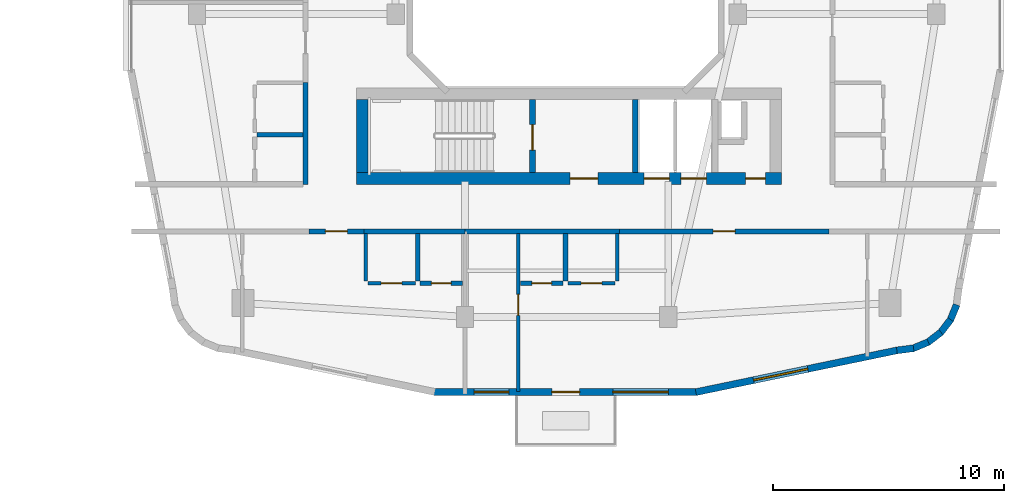
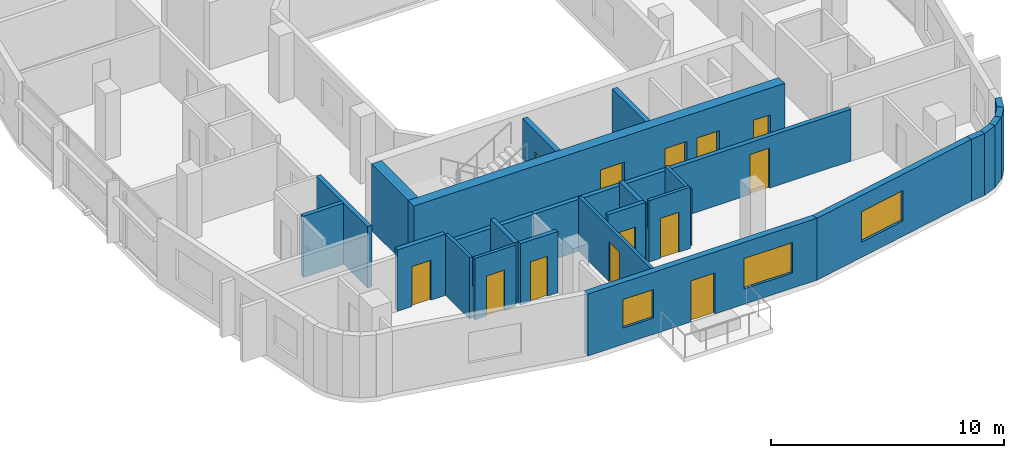
# One storey, part 13 of 22: 26 walls, 13 doors, 3 windows, 16 openings.
"""IFC4 building model written with IfcOpenShell, lengths in metres."""

from ifc_helpers import new_model, si_unit, derived_unit, direction, frame, frame_2d, origin, place, context, subcontext, project, spatial, rectangle, extrude, material, layer, layer_set, type_object, element, fill, save


model = new_model("IFC4")

# Units and contexts
model_context = context("Model", 3, precision=1e-05, world=origin(), true_north=direction((0.0, 1.0)))
body_context = subcontext(model_context, "Body", "Model", "MODEL_VIEW")
ifc_project = project(units=[si_unit("LENGTHUNIT", "METRE"), si_unit("AREAUNIT", "SQUARE_METRE"), si_unit("VOLUMEUNIT", "CUBIC_METRE"), si_unit("PLANEANGLEUNIT", "RADIAN"), si_unit("MASSUNIT", "GRAM", prefix="KILO"), derived_unit("THERMALTRANSMITTANCEUNIT", [(si_unit("POWERUNIT", "WATT"), 1), (si_unit("LENGTHUNIT", "METRE"), -2), (si_unit("THERMODYNAMICTEMPERATUREUNIT", "KELVIN"), -1)])], contexts=[model_context])

# Site, building, storey
site_placement = place(None, origin())
site = spatial("IfcSite", under=ifc_project, at=site_placement, CompositionType="ELEMENT")
building_placement = place(site_placement, origin())
building = spatial("IfcBuilding", under=site, at=building_placement, Name="Kivonza Crest Hotel", CompositionType="ELEMENT")
storey_placement = place(building_placement, frame((0.0, 0.0, 69.5)))
storey = spatial("IfcBuildingStorey", under=building, at=storey_placement, Name="L18", CompositionType="ELEMENT", Elevation=69.5)

# Wall
ifc_material_1 = material(Name="Autoclaved aerated concrete blockwork", Category="masonry")
ifc_layer_1 = layer(ifc_material_1, 0.219970703125)
ifc_layer_set_1 = layer_set([ifc_layer_1], Name="Autoclaved aerated concrete blockwork")
wall_type_1 = type_object("IfcWallType", Name="WL-ACOU-220", PredefinedType="SOLIDWALL", material=ifc_layer_set_1)
wall_1_placement = place(storey_placement, frame((68.219970703125, 12.10009765625, 0.0), z_axis=(0.0, 0.0, 1.0), x_axis=(1.0, 0.0, 0.0)))
element("IfcWall", 1, at=wall_1_placement, inside=storey, type_object=wall_type_1, Name="L18 interior partition WA-L18-A03-RCORR", PredefinedType="SOLIDWALL", context=body_context, shape_type="SweptSolid", body=[
    extrude(rectangle(XDim=4.380126953125, YDim=0.219970703125, at=frame_2d((2.18994140625, 0.0))), origin(), (0.0, 0.0, 1.0), 2.72509765625),
])

# Wall, opening, door
wall_2_placement = place(storey_placement, frame((65.85009765625, 12.10009765625, 0.0), z_axis=(0.0, 0.0, 1.0), x_axis=(1.0, 0.0, 0.0)))
wall_2 = element("IfcWall", 2, at=wall_2_placement, inside=storey, type_object=wall_type_1, Name="L18 interior partition WA-L18-A03-MCORR", PredefinedType="SOLIDWALL", context=body_context, shape_type="SweptSolid", body=[
    extrude(rectangle(XDim=2.369873046875, YDim=0.219970703125, at=frame_2d((1.18505859375, 0.0))), origin(), (0.0, 0.0, 1.0), 3.219970703125),
])
opening_1_placement = place(wall_2_placement, frame((0.7099609375, 0.0, 0.0)))
opening_1 = element("IfcOpeningElement", 3, at=opening_1_placement, cuts=wall_2, Name="Opening DU-60", PredefinedType="OPENING", context=body_context, shape_type="SweptSolid", body=[
    extrude(rectangle(XDim=0.949951171875, YDim=2.10009765625, at=frame_2d((0.47509765625, 1.050048828125))), frame((0.0, 0.1201171875, 0.0), z_axis=(0.0, -1.0, 0.0), x_axis=(1.0, 0.0, 0.0)), (0.0, 0.0, 1.0), 0.239990234375),
])
ifc_material_2 = material(Name="Hardwood timber oak", Category="wood")
door_type_1 = type_object("IfcDoorType", Name="DR-UNIT-950", OperationType="NOTDEFINED", PredefinedType="DOOR", material=ifc_material_2)
door_1_placement = place(opening_1_placement, frame((0.949951171875, 0.0, 0.0), z_axis=(0.0, 0.0, 1.0), x_axis=(-1.0, 0.0, 0.0)))
door_1 = element("IfcDoor", 4, at=door_1_placement, inside=storey, type_object=door_type_1, Name="L18 A03 apartment entrance fire door", OperationType="SINGLE_SWING_LEFT", OverallHeight=2.10009765625, OverallWidth=0.949951171875, PredefinedType="DOOR", context=body_context, shape_type="SweptSolid", body=[
    extrude(rectangle(XDim=0.949951171875, YDim=2.10009765625, at=frame_2d((0.47509765625, 1.050048828125))), frame((0.0, 0.02490234375, 0.0), z_axis=(0.0, -1.0, 0.0), x_axis=(1.0, 0.0, 0.0)), (0.0, 0.0, 1.0), 0.050048828125),
])
fill(opening_1, door_1)

# Wall
wall_3_placement = place(storey_placement, frame((72.60009765625, 12.10009765625, 0.0), z_axis=(0.0, 0.0, 1.0), x_axis=(1.0, 0.0, 0.0)))
element("IfcWall", 5, at=wall_3_placement, inside=storey, type_object=wall_type_1, Name="L18 interior partition WA-L18-A04-LCORR", PredefinedType="SOLIDWALL", context=body_context, shape_type="SweptSolid", body=[
    extrude(rectangle(XDim=6.679931640625, YDim=0.219970703125, at=frame_2d((3.33984375, 0.0))), origin(), (0.0, 0.0, 1.0), 2.72509765625),
])

# Wall, opening, door
wall_4_placement = place(storey_placement, frame((79.280029296875, 12.10009765625, 0.0), z_axis=(0.0, 0.0, 1.0), x_axis=(1.0, 0.0, 0.0)))
wall_4 = element("IfcWall", 6, at=wall_4_placement, inside=storey, type_object=wall_type_1, Name="L18 interior partition WA-L18-A04-MCORR", PredefinedType="SOLIDWALL", context=body_context, shape_type="SweptSolid", body=[
    extrude(rectangle(XDim=9.070068359375, YDim=0.219970703125, at=frame_2d((4.53515625, 0.0))), origin(), (0.0, 0.0, 1.0), 2.72509765625),
])
opening_2_placement = place(wall_4_placement, frame((4.06005859375, 0.0, 0.0)))
opening_2 = element("IfcOpeningElement", 7, at=opening_2_placement, cuts=wall_4, Name="Opening DU-60", PredefinedType="OPENING", context=body_context, shape_type="SweptSolid", body=[
    extrude(rectangle(XDim=0.949951171875, YDim=2.10009765625, at=frame_2d((0.47509765625, 1.050048828125))), frame((0.0, 0.1201171875, 0.0), z_axis=(0.0, -1.0, 0.0), x_axis=(1.0, 0.0, 0.0)), (0.0, 0.0, 1.0), 0.239990234375),
])
door_2_placement = place(opening_2_placement, frame((0.949951171875, 0.0, 0.0), z_axis=(0.0, 0.0, 1.0), x_axis=(-1.0, 0.0, 0.0)))
door_2 = element("IfcDoor", 8, at=door_2_placement, inside=storey, type_object=door_type_1, Name="L18 A04 apartment entrance fire door", OperationType="SINGLE_SWING_RIGHT", OverallHeight=2.10009765625, OverallWidth=0.949951171875, PredefinedType="DOOR", context=body_context, shape_type="SweptSolid", body=[
    extrude(rectangle(XDim=0.949951171875, YDim=2.10009765625, at=frame_2d((0.47509765625, 1.050048828125))), frame((0.0, 0.02490234375, 0.0), z_axis=(0.0, -1.0, 0.0), x_axis=(1.0, 0.0, 0.0)), (0.0, 0.0, 1.0), 0.050048828125),
])
fill(opening_2, door_2)

# Wall
wall_5_placement = place(storey_placement, frame((65.699951171875, 14.139892578125, 0.0), z_axis=(0.0, 0.0, 1.0), x_axis=(0.0, 1.0, 0.0)))
element("IfcWall", 9, at=wall_5_placement, inside=storey, type_object=wall_type_1, Name="L18 interior partition WA-L18-A05-BCORR", PredefinedType="SOLIDWALL", context=body_context, shape_type="SweptSolid", body=[
    extrude(rectangle(XDim=4.400146484375, YDim=0.219970703125, at=frame_2d((2.2001953125, 0.0))), origin(), (0.0, 0.0, 1.0), 3.219970703125),
])

# Wall, openings, doors
ifc_material_3 = material(Name="Concrete C60/75", Category="concrete")
ifc_layer_2 = layer(ifc_material_3, 0.5)
ifc_layer_set_2 = layer_set([ifc_layer_2], Name="Concrete C60/75")
wall_type_2 = type_object("IfcWallType", Name="WL-CORE-500", PredefinedType="SHEAR", material=ifc_layer_set_2)
wall_6_placement = place(storey_placement, frame((67.89990234375, 14.389892578125, 0.0), z_axis=(0.0, 0.0, 1.0), x_axis=(1.0, 0.0, 0.0)))
wall_6 = element("IfcWall", 10, at=wall_6_placement, inside=storey, type_object=wall_type_2, Name="Core wall T2-S South L18", PredefinedType="SHEAR", context=body_context, shape_type="SweptSolid", body=[
    extrude(rectangle(XDim=18.400146484375, YDim=0.5, at=frame_2d((9.2001953125, 0.0))), origin(), (0.0, 0.0, 1.0), 3.5),
])
opening_3_placement = place(wall_6_placement, frame((9.25, 0.0, 0.0)))
opening_3 = element("IfcOpeningElement", 11, at=opening_3_placement, cuts=wall_6, Name="Opening DF-60", PredefinedType="OPENING", context=body_context, shape_type="SweptSolid", body=[
    extrude(rectangle(XDim=1.199951171875, YDim=2.14990234375, at=frame_2d((0.60009765625, 1.074951171875))), frame((0.0, 0.260009765625, 0.0), z_axis=(0.0, -1.0, 0.0), x_axis=(1.0, 0.0, 0.0)), (0.0, 0.0, 1.0), 0.52001953125),
])
opening_4_placement = place(wall_6_placement, frame((16.85009765625, 0.0, 0.0)))
opening_4 = element("IfcOpeningElement", 12, at=opening_4_placement, cuts=wall_6, Name="Opening DF-60R", PredefinedType="OPENING", context=body_context, shape_type="SweptSolid", body=[
    extrude(rectangle(XDim=0.85009765625, YDim=2.10009765625, at=frame_2d((0.425048828125, 1.050048828125))), frame((0.0, 0.260009765625, 0.0), z_axis=(0.0, -1.0, 0.0), x_axis=(1.0, 0.0, 0.0)), (0.0, 0.0, 1.0), 0.52001953125),
])
opening_5_placement = place(wall_6_placement, frame((12.449951171875, 0.0, 0.0)))
opening_5 = element("IfcOpeningElement", 13, at=opening_5_placement, cuts=wall_6, Name="Opening LD-120", PredefinedType="OPENING", context=body_context, shape_type="SweptSolid", body=[
    extrude(rectangle(XDim=1.10009765625, YDim=2.14990234375, at=frame_2d((0.550048828125, 1.074951171875))), frame((0.0, 0.260009765625, 0.0), z_axis=(0.0, -1.0, 0.0), x_axis=(1.0, 0.0, 0.0)), (0.0, 0.0, 1.0), 0.52001953125),
])
opening_6_placement = place(wall_6_placement, frame((14.050048828125, 0.0, 0.0)))
opening_6 = element("IfcOpeningElement", 14, at=opening_6_placement, cuts=wall_6, Name="Opening LD-120", PredefinedType="OPENING", context=body_context, shape_type="SweptSolid", body=[
    extrude(rectangle(XDim=1.10009765625, YDim=2.14990234375, at=frame_2d((0.550048828125, 1.074951171875))), frame((0.0, 0.260009765625, 0.0), z_axis=(0.0, -1.0, 0.0), x_axis=(1.0, 0.0, 0.0)), (0.0, 0.0, 1.0), 0.52001953125),
])
door_type_2 = type_object("IfcDoorType", Name="DR-FD60-1200", OperationType="NOTDEFINED", PredefinedType="DOOR", material=ifc_material_2)
door_3_placement = place(opening_3_placement, frame((1.199951171875, 0.0, 0.0), z_axis=(0.0, 0.0, 1.0), x_axis=(-1.0, 0.0, 0.0)))
door_3 = element("IfcDoor", 15, at=door_3_placement, inside=storey, type_object=door_type_2, Name="L18 T2-S firefighting lobby fire door", OperationType="SINGLE_SWING_LEFT", OverallHeight=2.14990234375, OverallWidth=1.199951171875, PredefinedType="DOOR", context=body_context, shape_type="SweptSolid", body=[
    extrude(rectangle(XDim=1.199951171875, YDim=2.14990234375, at=frame_2d((0.60009765625, 1.074951171875))), frame((0.0, 0.02490234375, 0.0), z_axis=(0.0, -1.0, 0.0), x_axis=(1.0, 0.0, 0.0)), (0.0, 0.0, 1.0), 0.050048828125),
])
fill(opening_3, door_3)
door_type_3 = type_object("IfcDoorType", Name="DR-FD60-850", OperationType="NOTDEFINED", PredefinedType="DOOR", material=ifc_material_2)
door_4_placement = place(opening_4_placement, frame((0.85009765625, 0.0, 0.0), z_axis=(0.0, 0.0, 1.0), x_axis=(-1.0, 0.0, 0.0)))
door_4 = element("IfcDoor", 16, at=door_4_placement, inside=storey, type_object=door_type_3, Name="L18 T2-S core room door", OperationType="SINGLE_SWING_RIGHT", OverallHeight=2.10009765625, OverallWidth=0.85009765625, PredefinedType="DOOR", context=body_context, shape_type="SweptSolid", body=[
    extrude(rectangle(XDim=0.85009765625, YDim=2.10009765625, at=frame_2d((0.425048828125, 1.050048828125))), frame((0.0, 0.02490234375, 0.0), z_axis=(0.0, -1.0, 0.0), x_axis=(1.0, 0.0, 0.0)), (0.0, 0.0, 1.0), 0.050048828125),
])
fill(opening_4, door_4)
ifc_material_4 = material(Name="Stainless steel", Category="steel")
door_type_4 = type_object("IfcDoorType", Name="DR-LD120-1100", OperationType="NOTDEFINED", PredefinedType="DOOR", material=ifc_material_4)
door_5_placement = place(opening_5_placement, frame((1.10009765625, 0.0, 0.0), z_axis=(0.0, 0.0, 1.0), x_axis=(-1.0, 0.0, 0.0)))
door_5 = element("IfcDoor", 17, at=door_5_placement, inside=storey, type_object=door_type_4, Name="L18 PL-T2-1 passenger lift sliding landing door", OperationType="DOUBLE_DOOR_SLIDING", OverallHeight=2.14990234375, OverallWidth=1.10009765625, PredefinedType="DOOR", context=body_context, shape_type="SweptSolid", body=[
    extrude(rectangle(XDim=1.10009765625, YDim=2.14990234375, at=frame_2d((0.550048828125, 1.074951171875))), frame((0.0, 0.02490234375, 0.0), z_axis=(0.0, -1.0, 0.0), x_axis=(1.0, 0.0, 0.0)), (0.0, 0.0, 1.0), 0.050048828125),
])
fill(opening_5, door_5)
door_6_placement = place(opening_6_placement, frame((1.10009765625, 0.0, 0.0), z_axis=(0.0, 0.0, 1.0), x_axis=(-1.0, 0.0, 0.0)))
door_6 = element("IfcDoor", 18, at=door_6_placement, inside=storey, type_object=door_type_4, Name="L18 PL-T2-2 passenger lift sliding landing door", OperationType="DOUBLE_DOOR_SLIDING", OverallHeight=2.14990234375, OverallWidth=1.10009765625, PredefinedType="DOOR", context=body_context, shape_type="SweptSolid", body=[
    extrude(rectangle(XDim=1.10009765625, YDim=2.14990234375, at=frame_2d((0.550048828125, 1.074951171875))), frame((0.0, 0.02490234375, 0.0), z_axis=(0.0, -1.0, 0.0), x_axis=(1.0, 0.0, 0.0)), (0.0, 0.0, 1.0), 0.050048828125),
])
fill(opening_6, door_6)

# Wall
wall_7_placement = place(storey_placement, frame((68.14990234375, 14.639892578125, 0.0), z_axis=(0.0, 0.0, 1.0), x_axis=(0.0, 1.0, 0.0)))
element("IfcWall", 19, at=wall_7_placement, inside=storey, type_object=wall_type_2, Name="Core wall T2-S West L18", PredefinedType="SHEAR", context=body_context, shape_type="SweptSolid", body=[
    extrude(rectangle(XDim=3.16015625, YDim=0.5, at=frame_2d((1.580078125, 0.0))), origin(), (0.0, 0.0, 1.0), 3.5),
])

# Wall, openings, door, windows
ifc_material_5 = material(Name="Precast concrete C40/50", Category="concrete")
ifc_layer_3 = layer(ifc_material_5, 0.300048828125)
ifc_layer_set_3 = layer_set([ifc_layer_3], Name="Precast concrete C40/50")
wall_type_3 = type_object("IfcWallType", Name="WL-EXT-300", PredefinedType="STANDARD", material=ifc_layer_set_3)
wall_8_placement = place(storey_placement, frame((71.2470703125, 5.14990234375, 0.0), z_axis=(0.0, 0.0, 1.0), x_axis=(1.0, 0.0, 0.0)))
wall_8 = element("IfcWall", 20, at=wall_8_placement, inside=storey, type_object=wall_type_3, Name="L18 T2 exterior insulated wall 8", PredefinedType="STANDARD", context=body_context, shape_type="SweptSolid", body=[
    extrude(rectangle(XDim=11.390869140625, YDim=0.300048828125, at=frame_2d((5.6953125, 0.0))), origin(), (0.0, 0.0, 1.0), 3.25),
])
opening_7_placement = place(wall_8_placement, frame((5.113037109375, 0.0, 0.0)))
opening_7 = element("IfcOpeningElement", 21, at=opening_7_placement, cuts=wall_8, Name="Opening DT-120", PredefinedType="OPENING", context=body_context, shape_type="SweptSolid", body=[
    extrude(rectangle(XDim=1.199951171875, YDim=2.14990234375, at=frame_2d((0.60009765625, 1.074951171875))), frame((0.0, 0.16015625, 0.0), z_axis=(0.0, -1.0, 0.0), x_axis=(1.0, 0.0, 0.0)), (0.0, 0.0, 1.0), 0.320068359375),
])
opening_8_placement = place(wall_8_placement, frame((1.7529296875, 0.0, 0.85009765625)))
opening_8 = element("IfcOpeningElement", 22, at=opening_8_placement, cuts=wall_8, Name="Opening WN-02", PredefinedType="OPENING", context=body_context, shape_type="SweptSolid", body=[
    extrude(rectangle(XDim=1.5, YDim=1.5, at=frame_2d((0.75, 0.75))), frame((0.0, 0.16015625, 0.0), z_axis=(0.0, -1.0, 0.0), x_axis=(1.0, 0.0, 0.0)), (0.0, 0.0, 1.0), 0.320068359375),
])
opening_9_placement = place(wall_8_placement, frame((7.757080078125, 0.0, 0.800048828125)))
opening_9 = element("IfcOpeningElement", 23, at=opening_9_placement, cuts=wall_8, Name="Opening WN-05", PredefinedType="OPENING", context=body_context, shape_type="SweptSolid", body=[
    extrude(rectangle(XDim=2.39990234375, YDim=1.60009765625, at=frame_2d((1.199951171875, 0.800048828125))), frame((0.0, 0.16015625, 0.0), z_axis=(0.0, -1.0, 0.0), x_axis=(1.0, 0.0, 0.0)), (0.0, 0.0, 1.0), 0.320068359375),
])
ifc_material_6 = material(Name="Anodised bronze aluminium and laminated safety glass", Category="aluminium")
door_type_5 = type_object("IfcDoorType", Name="DR-TERR-1200", OperationType="NOTDEFINED", PredefinedType="DOOR", material=ifc_material_6)
door_7_placement = place(opening_7_placement, frame((1.199951171875, 0.0, 0.0), z_axis=(0.0, 0.0, 1.0), x_axis=(-1.0, 0.0, 0.0)))
door_7 = element("IfcDoor", 24, at=door_7_placement, inside=storey, type_object=door_type_5, Name="T2 L18 SW sky-garden bridge access door", OperationType="SINGLE_SWING_RIGHT", OverallHeight=2.14990234375, OverallWidth=1.199951171875, PredefinedType="DOOR", context=body_context, shape_type="SweptSolid", body=[
    extrude(rectangle(XDim=1.199951171875, YDim=2.14990234375, at=frame_2d((0.60009765625, 1.074951171875))), frame((0.0, 0.02490234375, 0.0), z_axis=(0.0, -1.0, 0.0), x_axis=(1.0, 0.0, 0.0)), (0.0, 0.0, 1.0), 0.050048828125),
])
fill(opening_7, door_7)
ifc_material_7 = material(Name="Thermally broken bronze aluminium and low-E double glazing", Category="aluminium")
window_type_1 = type_object("IfcWindowType", Name="WN-150x150", PartitioningType="DOUBLE_PANEL_VERTICAL", PredefinedType="WINDOW", material=ifc_material_7)
window_1_placement = place(opening_8_placement, origin())
window_1 = element("IfcWindow", 25, at=window_1_placement, inside=storey, type_object=window_type_1, Name="L18 T2 facade window 8 bay 1", OverallHeight=1.5, OverallWidth=1.5, PartitioningType="SINGLE_PANEL", PredefinedType="WINDOW", context=body_context, shape_type="SweptSolid", body=[
    extrude(rectangle(XDim=1.5, YDim=1.5, at=frame_2d((0.75, 0.75))), frame((0.0, 0.030029296875, 0.0), z_axis=(0.0, -1.0, 0.0), x_axis=(1.0, 0.0, 0.0)), (0.0, 0.0, 1.0), 0.06005859375),
])
fill(opening_8, window_1)
window_type_2 = type_object("IfcWindowType", Name="WN-240x160", PartitioningType="TRIPLE_PANEL_VERTICAL", PredefinedType="WINDOW", material=ifc_material_7)
window_2_placement = place(opening_9_placement, origin())
window_2 = element("IfcWindow", 26, at=window_2_placement, inside=storey, type_object=window_type_2, Name="L18 T2 facade window 8 bay 2", OverallHeight=1.60009765625, OverallWidth=2.39990234375, PartitioningType="SINGLE_PANEL", PredefinedType="WINDOW", context=body_context, shape_type="SweptSolid", body=[
    extrude(rectangle(XDim=2.39990234375, YDim=1.60009765625, at=frame_2d((1.199951171875, 0.800048828125))), frame((0.0, 0.030029296875, 0.0), z_axis=(0.0, -1.0, 0.0), x_axis=(1.0, 0.0, 0.0)), (0.0, 0.0, 1.0), 0.06005859375),
])
fill(opening_9, window_2)

# Wall, opening, window
wall_9_placement = place(storey_placement, frame((82.593994140625, 5.14208984375, 0.0), z_axis=(0.0, 0.0, 1.0), x_axis=(0.979125485139, 0.203256695712, 0.0)))
wall_9 = element("IfcWall", 27, at=wall_9_placement, inside=storey, type_object=wall_type_3, Name="L18 T2 exterior insulated wall 9", PredefinedType="STANDARD", context=body_context, shape_type="SweptSolid", body=[
    extrude(rectangle(XDim=8.8896484375, YDim=0.300048828125, at=frame_2d((4.44482421875, 0.0))), origin(), (0.0, 0.0, 1.0), 3.25),
])
opening_10_placement = place(wall_9_placement, frame((2.548095703125, 0.0, 0.800048828125)))
opening_10 = element("IfcOpeningElement", 28, at=opening_10_placement, cuts=wall_9, Name="Opening WN-05", PredefinedType="OPENING", context=body_context, shape_type="SweptSolid", body=[
    extrude(rectangle(XDim=2.39990234375, YDim=1.60009765625, at=frame_2d((1.199951171875, 0.800048828125))), frame((0.0, 0.16015625, 0.0), z_axis=(0.0, -1.0, 0.0), x_axis=(1.0, 0.0, 0.0)), (0.0, 0.0, 1.0), 0.320068359375),
])
window_3_placement = place(opening_10_placement, origin())
window_3 = element("IfcWindow", 29, at=window_3_placement, inside=storey, type_object=window_type_2, Name="L18 T2 facade window 9", OverallHeight=1.60009765625, OverallWidth=2.39990234375, PartitioningType="SINGLE_PANEL", PredefinedType="WINDOW", context=body_context, shape_type="SweptSolid", body=[
    extrude(rectangle(XDim=2.39990234375, YDim=1.60009765625, at=frame_2d((1.199951171875, 0.800048828125))), frame((0.0, 0.030029296875, 0.0), z_axis=(0.0, -1.0, 0.0), x_axis=(1.0, 0.0, 0.0)), (0.0, 0.0, 1.0), 0.06005859375),
])
fill(opening_10, window_3)

# Walls
wall_10_placement = place(storey_placement, frame((91.29296875, 6.947998046875, 0.0), z_axis=(0.0, 0.0, 1.0), x_axis=(0.991486167159, 0.13021205909, 0.0)))
element("IfcWall", 30, at=wall_10_placement, inside=storey, type_object=wall_type_3, Name="L18 T2 exterior insulated wall 10", PredefinedType="STANDARD", context=body_context, shape_type="SweptSolid", body=[
    extrude(rectangle(XDim=0.729248046875, YDim=0.300048828125, at=frame_2d((0.36474609375, 0.0))), origin(), (0.0, 0.0, 1.0), 3.25),
])
for number, where, z_axis, x_axis, name in (
    (31, (91.965087890625, 7.02392578125, 0.0), (0.0, 0.0, 1.0), (0.923521684703, 0.383546213491, 0.0), "L18 T2 exterior insulated wall 11"),
    (32, (92.60888671875, 7.279052734375, 0.0), (0.0, 0.0, 1.0), (0.79363269798, 0.608397189915, 0.0), "L18 T2 exterior insulated wall 12"),
    (33, (93.166015625, 7.69091796875, 0.0), (0.0, 0.0, 1.0), (0.608603261071, 0.793474681772, 0.0), "L18 T2 exterior insulated wall 13"),
):
    element("IfcWall", number, at=place(storey_placement, frame(where, z_axis=z_axis, x_axis=x_axis)), inside=storey, type_object=wall_type_3, Name=name, PredefinedType="STANDARD", context=body_context, shape_type="SweptSolid", body=[
        extrude(rectangle(XDim=0.74609375, YDim=0.300048828125, at=frame_2d((0.373046875, 0.0))), origin(), (0.0, 0.0, 1.0), 3.25),
    ])
wall_11_placement = place(storey_placement, frame((93.595947265625, 8.23388671875, 0.0), z_axis=(0.0, 0.0, 1.0), x_axis=(0.383430326427, 0.923569805037, 0.0)))
element("IfcWall", 34, at=wall_11_placement, inside=storey, type_object=wall_type_3, Name="L18 T2 exterior insulated wall 14", PredefinedType="STANDARD", context=body_context, shape_type="SweptSolid", body=[
    extrude(rectangle(XDim=0.746337890625, YDim=0.300048828125, at=frame_2d((0.373046875, 0.0))), origin(), (0.0, 0.0, 1.0), 3.25),
])
ifc_material_8 = material(Name="Twin-stud acoustic gypsum board partition", Category="gypsum")
ifc_layer_4 = layer(ifc_material_8, 0.14990234375)
ifc_layer_set_4 = layer_set([ifc_layer_4], Name="Twin-stud acoustic gypsum board partition")
wall_type_4 = type_object("IfcWallType", Name="WL-PART-150", PredefinedType="PARTITIONING", material=ifc_layer_set_4)
wall_12_placement = place(storey_placement, frame((68.300048828125, 9.949951171875, 0.0), z_axis=(0.0, 0.0, 1.0), x_axis=(0.0, 1.0, 0.0)))
element("IfcWall", 35, at=wall_12_placement, inside=storey, type_object=wall_type_4, Name="L18 interior partition WP-L18-A03-KF", PredefinedType="PARTITIONING", context=body_context, shape_type="SweptSolid", body=[
    extrude(rectangle(XDim=2.050048828125, YDim=0.14990234375, at=frame_2d((1.02490234375, 0.0))), origin(), (0.0, 0.0, 1.0), 3.219970703125),
])

# Wall, opening, door
wall_13_placement = place(storey_placement, frame((68.39990234375, 9.85009765625, 0.0), z_axis=(0.0, 0.0, 1.0), x_axis=(1.0, 0.0, 0.0)))
wall_13 = element("IfcWall", 36, at=wall_13_placement, inside=storey, type_object=wall_type_4, Name="L18 interior partition WP-L18-A03-KSVC", PredefinedType="PARTITIONING", context=body_context, shape_type="SweptSolid", body=[
    extrude(rectangle(XDim=2.050048828125, YDim=0.14990234375, at=frame_2d((1.02490234375, 0.0))), origin(), (0.0, 0.0, 1.0), 3.219970703125),
])
opening_11_placement = place(wall_13_placement, frame((0.574951171875, 0.0, 0.0)))
opening_11 = element("IfcOpeningElement", 37, at=opening_11_placement, cuts=wall_13, Name="Opening DI-90", PredefinedType="OPENING", context=body_context, shape_type="SweptSolid", body=[
    extrude(rectangle(XDim=0.89990234375, YDim=2.10009765625, at=frame_2d((0.449951171875, 1.050048828125))), frame((0.0, 0.0849609375, 0.0), z_axis=(0.0, -1.0, 0.0), x_axis=(1.0, 0.0, 0.0)), (0.0, 0.0, 1.0), 0.169921875),
])
door_type_6 = type_object("IfcDoorType", Name="DR-INT-900", OperationType="NOTDEFINED", PredefinedType="DOOR", material=ifc_material_2)
door_8_placement = place(opening_11_placement, frame((0.89990234375, 0.0, 0.0), z_axis=(0.0, 0.0, 1.0), x_axis=(-1.0, 0.0, 0.0)))
door_8 = element("IfcDoor", 38, at=door_8_placement, inside=storey, type_object=door_type_6, Name="L18 A03 apartment kitchen door", OperationType="SINGLE_SWING_LEFT", OverallHeight=2.10009765625, OverallWidth=0.89990234375, PredefinedType="DOOR", context=body_context, shape_type="SweptSolid", body=[
    extrude(rectangle(XDim=0.89990234375, YDim=2.10009765625, at=frame_2d((0.449951171875, 1.050048828125))), frame((0.0, 0.02490234375, 0.0), z_axis=(0.0, -1.0, 0.0), x_axis=(1.0, 0.0, 0.0)), (0.0, 0.0, 1.0), 0.050048828125),
])
fill(opening_11, door_8)

wall_14_placement = place(storey_placement, frame((74.89990234375, 5.159912109375, 0.0), z_axis=(0.0, 0.0, 1.0), x_axis=(0.0, 1.0, 0.0)))
wall_14 = element("IfcWall", 39, at=wall_14_placement, inside=storey, type_object=wall_type_4, Name="L18 interior partition WP-L18-A04-BDW1", PredefinedType="PARTITIONING", context=body_context, shape_type="SweptSolid", body=[
    extrude(rectangle(XDim=6.840087890625, YDim=0.14990234375, at=frame_2d((3.419921875, 0.0))), origin(), (0.0, 0.0, 1.0), 2.864990234375),
])
opening_12_placement = place(wall_14_placement, frame((3.31005859375, 0.0, 0.0)))
opening_12 = element("IfcOpeningElement", 40, at=opening_12_placement, cuts=wall_14, Name="Opening DI-90", PredefinedType="OPENING", context=body_context, shape_type="SweptSolid", body=[
    extrude(rectangle(XDim=0.89990234375, YDim=2.10009765625, at=frame_2d((0.449951171875, 1.050048828125))), frame((0.0, 0.0849609375, 0.0), z_axis=(0.0, -1.0, 0.0), x_axis=(1.0, 0.0, 0.0)), (0.0, 0.0, 1.0), 0.169921875),
])
door_9_placement = place(opening_12_placement, origin())
door_9 = element("IfcDoor", 41, at=door_9_placement, inside=storey, type_object=door_type_6, Name="L18 A04 bedroom 1 door", OperationType="SINGLE_SWING_LEFT", OverallHeight=2.10009765625, OverallWidth=0.89990234375, PredefinedType="DOOR", context=body_context, shape_type="SweptSolid", body=[
    extrude(rectangle(XDim=0.89990234375, YDim=2.10009765625, at=frame_2d((0.449951171875, 1.050048828125))), frame((0.0, 0.02490234375, 0.0), z_axis=(0.0, -1.0, 0.0), x_axis=(1.0, 0.0, 0.0)), (0.0, 0.0, 1.0), 0.050048828125),
])
fill(opening_12, door_9)

# Wall
wall_15_placement = place(storey_placement, frame((79.199951171875, 9.949951171875, 0.0), z_axis=(0.0, 0.0, 1.0), x_axis=(0.0, 1.0, 0.0)))
element("IfcWall", 42, at=wall_15_placement, inside=storey, type_object=wall_type_4, Name="L18 interior partition WP-L18-A04-KF", PredefinedType="PARTITIONING", context=body_context, shape_type="SweptSolid", body=[
    extrude(rectangle(XDim=2.050048828125, YDim=0.14990234375, at=frame_2d((1.02490234375, 0.0))), origin(), (0.0, 0.0, 1.0), 2.955078125),
])

# Wall, opening, door
wall_16_placement = place(storey_placement, frame((77.050048828125, 9.85009765625, 0.0), z_axis=(0.0, 0.0, 1.0), x_axis=(1.0, 0.0, 0.0)))
wall_16 = element("IfcWall", 43, at=wall_16_placement, inside=storey, type_object=wall_type_4, Name="L18 interior partition WP-L18-A04-KSVC", PredefinedType="PARTITIONING", context=body_context, shape_type="SweptSolid", body=[
    extrude(rectangle(XDim=2.050048828125, YDim=0.14990234375, at=frame_2d((1.02490234375, 0.0))), origin(), (0.0, 0.0, 1.0), 3.219970703125),
])
opening_13_placement = place(wall_16_placement, frame((0.574951171875, 0.0, 0.0)))
opening_13 = element("IfcOpeningElement", 44, at=opening_13_placement, cuts=wall_16, Name="Opening DI-90", PredefinedType="OPENING", context=body_context, shape_type="SweptSolid", body=[
    extrude(rectangle(XDim=0.89990234375, YDim=2.10009765625, at=frame_2d((0.449951171875, 1.050048828125))), frame((0.0, 0.0849609375, 0.0), z_axis=(0.0, -1.0, 0.0), x_axis=(1.0, 0.0, 0.0)), (0.0, 0.0, 1.0), 0.169921875),
])
door_10_placement = place(opening_13_placement, frame((0.89990234375, 0.0, 0.0), z_axis=(0.0, 0.0, 1.0), x_axis=(-1.0, 0.0, 0.0)))
door_10 = element("IfcDoor", 45, at=door_10_placement, inside=storey, type_object=door_type_6, Name="L18 A04 apartment kitchen door", OperationType="SINGLE_SWING_RIGHT", OverallHeight=2.10009765625, OverallWidth=0.89990234375, PredefinedType="DOOR", context=body_context, shape_type="SweptSolid", body=[
    extrude(rectangle(XDim=0.89990234375, YDim=2.10009765625, at=frame_2d((0.449951171875, 1.050048828125))), frame((0.0, 0.02490234375, 0.0), z_axis=(0.0, -1.0, 0.0), x_axis=(1.0, 0.0, 0.0)), (0.0, 0.0, 1.0), 0.050048828125),
])
fill(opening_13, door_10)

# Wall
ifc_material_9 = material(Name="Moisture-resistant plumbing chase partition wall", Category="gypsum")
ifc_layer_5 = layer(ifc_material_9, 0.199951171875)
ifc_layer_set_5 = layer_set([ifc_layer_5], Name="Moisture-resistant plumbing chase partition wall")
wall_type_5 = type_object("IfcWallType", Name="WL-PLUMB-200", PredefinedType="PLUMBINGWALL", material=ifc_layer_set_5)
wall_17_placement = place(storey_placement, frame((70.550048828125, 9.949951171875, 0.0), z_axis=(0.0, 0.0, 1.0), x_axis=(0.0, 1.0, 0.0)))
element("IfcWall", 46, at=wall_17_placement, inside=storey, type_object=wall_type_5, Name="L18 interior partition WW-L18-A03-BK", PredefinedType="PLUMBINGWALL", context=body_context, shape_type="SweptSolid", body=[
    extrude(rectangle(XDim=2.050048828125, YDim=0.199951171875, at=frame_2d((1.02490234375, 0.0))), origin(), (0.0, 0.0, 1.0), 3.219970703125),
])

# Wall, opening, door
wall_18_placement = place(storey_placement, frame((70.64990234375, 9.85009765625, 0.0), z_axis=(0.0, 0.0, 1.0), x_axis=(1.0, 0.0, 0.0)))
wall_18 = element("IfcWall", 47, at=wall_18_placement, inside=storey, type_object=wall_type_5, Name="L18 interior partition WW-L18-A03-BSVC", PredefinedType="PLUMBINGWALL", context=body_context, shape_type="SweptSolid", body=[
    extrude(rectangle(XDim=1.85009765625, YDim=0.199951171875, at=frame_2d((0.925048828125, 0.0))), origin(), (0.0, 0.0, 1.0), 3.219970703125),
])
opening_14_placement = place(wall_18_placement, frame((0.5, 0.0, 0.0)))
opening_14 = element("IfcOpeningElement", 48, at=opening_14_placement, cuts=wall_18, Name="Opening DI-85", PredefinedType="OPENING", context=body_context, shape_type="SweptSolid", body=[
    extrude(rectangle(XDim=0.85009765625, YDim=2.10009765625, at=frame_2d((0.425048828125, 1.050048828125))), frame((0.0, 0.10986328125, 0.0), z_axis=(0.0, -1.0, 0.0), x_axis=(1.0, 0.0, 0.0)), (0.0, 0.0, 1.0), 0.219970703125),
])
door_type_7 = type_object("IfcDoorType", Name="DR-INT-850", OperationType="NOTDEFINED", PredefinedType="DOOR", material=ifc_material_2)
door_11_placement = place(opening_14_placement, frame((0.85009765625, 0.0, 0.0), z_axis=(0.0, 0.0, 1.0), x_axis=(-1.0, 0.0, 0.0)))
door_11 = element("IfcDoor", 49, at=door_11_placement, inside=storey, type_object=door_type_7, Name="L18 A03 apartment bathroom door", OperationType="SINGLE_SWING_RIGHT", OverallHeight=2.10009765625, OverallWidth=0.85009765625, PredefinedType="DOOR", context=body_context, shape_type="SweptSolid", body=[
    extrude(rectangle(XDim=0.85009765625, YDim=2.10009765625, at=frame_2d((0.425048828125, 1.050048828125))), frame((0.0, 0.02490234375, 0.0), z_axis=(0.0, -1.0, 0.0), x_axis=(1.0, 0.0, 0.0)), (0.0, 0.0, 1.0), 0.050048828125),
])
fill(opening_14, door_11)

# Wall
wall_19_placement = place(storey_placement, frame((76.949951171875, 9.949951171875, 0.0), z_axis=(0.0, 0.0, 1.0), x_axis=(0.0, 1.0, 0.0)))
element("IfcWall", 50, at=wall_19_placement, inside=storey, type_object=wall_type_5, Name="L18 interior partition WW-L18-A04-BK", PredefinedType="PLUMBINGWALL", context=body_context, shape_type="SweptSolid", body=[
    extrude(rectangle(XDim=2.050048828125, YDim=0.199951171875, at=frame_2d((1.02490234375, 0.0))), origin(), (0.0, 0.0, 1.0), 2.955078125),
])

# Wall, opening, door
wall_20_placement = place(storey_placement, frame((75.0, 9.85009765625, 0.0), z_axis=(0.0, 0.0, 1.0), x_axis=(1.0, 0.0, 0.0)))
wall_20 = element("IfcWall", 51, at=wall_20_placement, inside=storey, type_object=wall_type_5, Name="L18 interior partition WW-L18-A04-BSVC", PredefinedType="PLUMBINGWALL", context=body_context, shape_type="SweptSolid", body=[
    extrude(rectangle(XDim=1.85009765625, YDim=0.199951171875, at=frame_2d((0.925048828125, 0.0))), origin(), (0.0, 0.0, 1.0), 3.219970703125),
])
opening_15_placement = place(wall_20_placement, frame((0.5, 0.0, 0.0)))
opening_15 = element("IfcOpeningElement", 52, at=opening_15_placement, cuts=wall_20, Name="Opening DI-85", PredefinedType="OPENING", context=body_context, shape_type="SweptSolid", body=[
    extrude(rectangle(XDim=0.85009765625, YDim=2.10009765625, at=frame_2d((0.425048828125, 1.050048828125))), frame((0.0, 0.10986328125, 0.0), z_axis=(0.0, -1.0, 0.0), x_axis=(1.0, 0.0, 0.0)), (0.0, 0.0, 1.0), 0.219970703125),
])
door_12_placement = place(opening_15_placement, frame((0.85009765625, 0.0, 0.0), z_axis=(0.0, 0.0, 1.0), x_axis=(-1.0, 0.0, 0.0)))
door_12 = element("IfcDoor", 53, at=door_12_placement, inside=storey, type_object=door_type_7, Name="L18 A04 apartment bathroom door", OperationType="SINGLE_SWING_LEFT", OverallHeight=2.10009765625, OverallWidth=0.85009765625, PredefinedType="DOOR", context=body_context, shape_type="SweptSolid", body=[
    extrude(rectangle(XDim=0.85009765625, YDim=2.10009765625, at=frame_2d((0.425048828125, 1.050048828125))), frame((0.0, 0.02490234375, 0.0), z_axis=(0.0, -1.0, 0.0), x_axis=(1.0, 0.0, 0.0)), (0.0, 0.0, 1.0), 0.050048828125),
])
fill(opening_15, door_12)

# Wall
wall_21_placement = place(storey_placement, frame((63.60009765625, 16.2900390625, 0.0), z_axis=(0.0, 0.0, 1.0), x_axis=(1.0, 0.0, 0.0)))
element("IfcWall", 54, at=wall_21_placement, inside=storey, type_object=wall_type_5, Name="L18 interior partition WW-L18-A05-BK", PredefinedType="PLUMBINGWALL", context=body_context, shape_type="SweptSolid", body=[
    extrude(rectangle(XDim=2.0, YDim=0.199951171875, at=frame_2d((1.0, 0.0))), origin(), (0.0, 0.0, 1.0), 3.219970703125),
])

# Wall, opening, door
ifc_material_10 = material(Name="Concrete C50/60", Category="concrete")
ifc_layer_6 = layer(ifc_material_10, 0.25)
ifc_layer_set_6 = layer_set([ifc_layer_6], Name="Concrete C50/60")
wall_type_6 = type_object("IfcWallType", Name="WL-SHAFT-250", PredefinedType="STANDARD", material=ifc_layer_set_6)
wall_22_placement = place(storey_placement, frame((75.52490234375, 14.639892578125, 0.0), z_axis=(0.0, 0.0, 1.0), x_axis=(0.0, 1.0, 0.0)))
wall_22 = element("IfcWall", 55, at=wall_22_placement, inside=storey, type_object=wall_type_6, Name="Core shaft wall T2-S STAIR L18", PredefinedType="STANDARD", context=body_context, shape_type="SweptSolid", body=[
    extrude(rectangle(XDim=3.16015625, YDim=0.25, at=frame_2d((1.580078125, 0.0))), origin(), (0.0, 0.0, 1.0), 3.25),
])
opening_16_placement = place(wall_22_placement, frame((0.97998046875, 0.0, 0.0)))
opening_16 = element("IfcOpeningElement", 56, at=opening_16_placement, cuts=wall_22, Name="Opening DF-120", PredefinedType="OPENING", context=body_context, shape_type="SweptSolid", body=[
    extrude(rectangle(XDim=1.10009765625, YDim=2.14990234375, at=frame_2d((0.550048828125, 1.074951171875))), frame((0.0, 0.135009765625, 0.0), z_axis=(0.0, -1.0, 0.0), x_axis=(1.0, 0.0, 0.0)), (0.0, 0.0, 1.0), 0.27001953125),
])
ifc_material_11 = material(Name="Galvanised steel", Category="steel")
door_type_8 = type_object("IfcDoorType", Name="DR-FD120-1100", OperationType="NOTDEFINED", PredefinedType="DOOR", material=ifc_material_11)
door_13_placement = place(opening_16_placement, frame((1.10009765625, 0.0, 0.0), z_axis=(0.0, 0.0, 1.0), x_axis=(-1.0, 0.0, 0.0)))
door_13 = element("IfcDoor", 57, at=door_13_placement, inside=storey, type_object=door_type_8, Name="L18 T2-S stair fire door", OperationType="SINGLE_SWING_RIGHT", OverallHeight=2.14990234375, OverallWidth=1.10009765625, PredefinedType="DOOR", context=body_context, shape_type="SweptSolid", body=[
    extrude(rectangle(XDim=1.10009765625, YDim=2.14990234375, at=frame_2d((0.550048828125, 1.074951171875))), frame((0.0, 0.02490234375, 0.0), z_axis=(0.0, -1.0, 0.0), x_axis=(1.0, 0.0, 0.0)), (0.0, 0.0, 1.0), 0.050048828125),
])
fill(opening_16, door_13)

# Wall
wall_23_placement = place(storey_placement, frame((79.97509765625, 14.639892578125, 0.0), z_axis=(0.0, 0.0, 1.0), x_axis=(0.0, 1.0, 0.0)))
element("IfcWall", 58, at=wall_23_placement, inside=storey, type_object=wall_type_6, Name="Core shaft wall T2-S BANK-W L18", PredefinedType="STANDARD", context=body_context, shape_type="SweptSolid", body=[
    extrude(rectangle(XDim=3.16015625, YDim=0.25, at=frame_2d((1.580078125, 0.0))), origin(), (0.0, 0.0, 1.0), 3.25),
])

save(model, "model.ifc")
